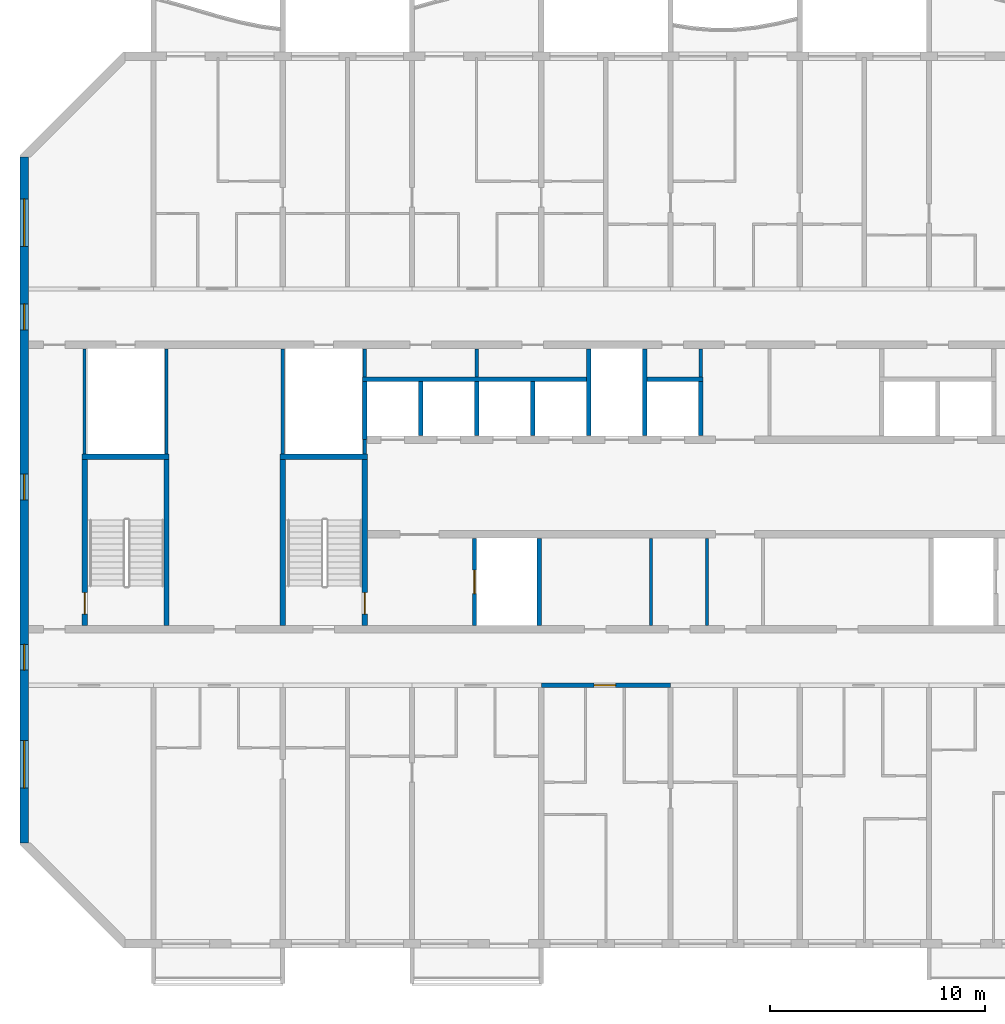
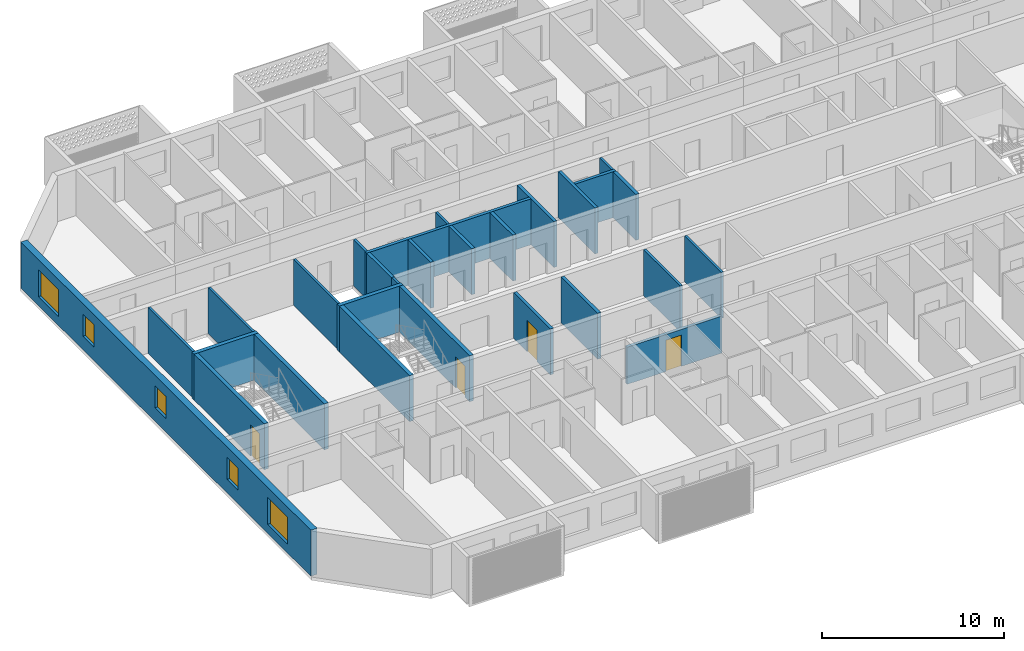
# One storey, part 3 of 26: 28 walls, 5 windows, 4 doors, 9 openings.
"""IFC4 building model written with IfcOpenShell, lengths in metres."""

from ifc_helpers import new_model, si_unit, direction, frame, frame_2d, origin, place, context, subcontext, project, spatial, rectangle, extrude, material, layer, layer_set, type_object, element, fill, save


model = new_model("IFC4")

# Units and contexts
model_context = context("Model", 3, precision=1e-05, world=origin(), true_north=direction((0.0, 1.0)))
body_context = subcontext(model_context, "Body", "Model", "MODEL_VIEW")
ifc_project = project(units=[si_unit("LENGTHUNIT", "METRE"), si_unit("AREAUNIT", "SQUARE_METRE"), si_unit("VOLUMEUNIT", "CUBIC_METRE"), si_unit("PLANEANGLEUNIT", "RADIAN"), si_unit("MASSUNIT", "GRAM", prefix="KILO")], contexts=[model_context])

# Site, building, storey
site_placement = place(None, origin())
site = spatial("IfcSite", under=ifc_project, at=site_placement, CompositionType="ELEMENT")
building_placement = place(site_placement, origin())
building = spatial("IfcBuilding", under=site, at=building_placement, Name="Poui Terraces", CompositionType="ELEMENT")
storey_placement = place(building_placement, frame((0.0, 0.0, 241.199951171875)))
storey = spatial("IfcBuildingStorey", under=building, at=storey_placement, Name="L67", CompositionType="ELEMENT", Elevation=241.199951171875)

# Walls
ifc_material_1 = material(Name="Fire-rated plasterboard wall")
ifc_layer_1 = layer(ifc_material_1, 0.14990234375)
ifc_layer_set_1 = layer_set([ifc_layer_1], Name="Fire-rated plasterboard wall")
wall_type_1 = type_object("IfcWallType", Name="CORRIDOR WALL 150", PredefinedType="PARTITIONING", material=ifc_layer_set_1)
wall_1_placement = place(storey_placement, frame((49.39990234375, 26.300048828125, 0.0), z_axis=(0.0, 0.0, 1.0), x_axis=(0.0, 1.0, 0.0)))
element("IfcWall", 1, at=wall_1_placement, inside=storey, type_object=wall_type_1, Name="CORRIDOR WALL 150", PredefinedType="PARTITIONING", context=body_context, shape_type="SweptSolid", body=[
    extrude(rectangle(XDim=1.31494140625, YDim=0.14990234375, at=frame_2d((0.657470703125, 0.0))), origin(), (0.0, 0.0, 1.0), 3.080078125),
])
wall_2_placement = place(storey_placement, frame((49.699951171875, 14.784912109375, 0.0), z_axis=(0.0, 0.0, 1.0), x_axis=(0.0, 1.0, 0.0)))
element("IfcWall", 2, at=wall_2_placement, inside=storey, type_object=wall_type_1, Name="CORRIDOR WALL 150", PredefinedType="PARTITIONING", context=body_context, shape_type="SweptSolid", body=[
    extrude(rectangle(XDim=4.030029296875, YDim=0.14990234375, at=frame_2d((2.01513671875, 0.0))), origin(), (0.0, 0.0, 1.0), 3.080078125),
])

# Wall, opening, door
ifc_material_2 = material(Name="Concrete 50 MPa", Category="concrete")
ifc_layer_2 = layer(ifc_material_2, 0.199951171875)
ifc_layer_set_2 = layer_set([ifc_layer_2], Name="Concrete 50 MPa")
wall_type_2 = type_object("IfcWallType", Name="CORRIDOR WALL 200 50MPa", PredefinedType="SHEAR", material=ifc_layer_set_2)
wall_3_placement = place(storey_placement, frame((42.0, 12.0, 0.0), z_axis=(0.0, 0.0, 1.0), x_axis=(1.0, 0.0, 0.0)))
wall_3 = element("IfcWall", 3, at=wall_3_placement, inside=storey, type_object=wall_type_2, Name="CORRIDOR WALL LINE B BAY 5", PredefinedType="SHEAR", context=body_context, shape_type="SweptSolid", body=[
    extrude(rectangle(XDim=6.0, YDim=0.199951171875, at=frame_2d((3.0, 0.0))), origin(), (0.0, 0.0, 1.0), 2.47998046875),
])
opening_1_placement = place(wall_3_placement, frame((2.449951171875, 0.0, 0.0)))
opening_1 = element("IfcOpeningElement", 4, at=opening_1_placement, cuts=wall_3, Name="Opening FD30S", PredefinedType="OPENING", context=body_context, shape_type="SweptSolid", body=[
    extrude(rectangle(XDim=1.0, YDim=2.10009765625, at=frame_2d((0.5, 1.050048828125))), frame((0.0, 0.10986328125, 0.0), z_axis=(0.0, -1.0, 0.0), x_axis=(1.0, 0.0, 0.0)), (0.0, 0.0, 1.0), 0.219970703125),
])
ifc_material_3 = material(Name="Steel fire door", Category="steel")
door_type_1 = type_object("IfcDoorType", Name="FLAT ENTRANCE DOOR 1000 X 2100", OperationType="NOTDEFINED", PredefinedType="DOOR", material=ifc_material_3)
door_1_placement = place(opening_1_placement, frame((1.0, 0.0, 0.0), z_axis=(0.0, 0.0, 1.0), x_axis=(-1.0, 0.0, 0.0)))
door_1 = element("IfcDoor", 5, at=door_1_placement, inside=storey, type_object=door_type_1, Name="FLAT ENTRANCE DOOR 075", OperationType="SINGLE_SWING_RIGHT", OverallHeight=2.10009765625, OverallWidth=1.0, PredefinedType="DOOR", context=body_context, shape_type="SweptSolid", body=[
    extrude(rectangle(XDim=1.0, YDim=2.10009765625, at=frame_2d((0.5, 1.050048828125))), frame((0.0, 0.02490234375, 0.0), z_axis=(0.0, -1.0, 0.0), x_axis=(1.0, 0.0, 0.0)), (0.0, 0.0, 1.0), 0.050048828125),
])
fill(opening_1, door_1)

# Wall, openings, windows
ifc_layer_3 = layer(ifc_material_2, 0.39990234375)
ifc_layer_set_3 = layer_set([ifc_layer_3], Name="Concrete 50 MPa")
wall_type_3 = type_object("IfcWallType", Name="END WALL 400 50MPa", PredefinedType="SHEAR", material=ifc_layer_set_3)
wall_4_placement = place(storey_placement, frame((18.0, 4.682861328125, 0.0), z_axis=(0.0, 0.0, 1.0), x_axis=(0.0, 1.0, 0.0)))
wall_4 = element("IfcWall", 6, at=wall_4_placement, inside=storey, type_object=wall_type_3, Name="END WALL WEST", PredefinedType="SHEAR", context=body_context, shape_type="SweptSolid", body=[
    extrude(rectangle(XDim=31.834228515625, YDim=0.39990234375, at=frame_2d((15.9169921875, 0.0))), origin(), (0.0, 0.0, 1.0), 3.080078125),
])
opening_2_placement = place(wall_4_placement, frame((23.817138671875, 0.0, 0.89990234375)))
opening_2 = element("IfcOpeningElement", 7, at=opening_2_placement, cuts=wall_4, Name="Opening W2", PredefinedType="OPENING", context=body_context, shape_type="SweptSolid", body=[
    extrude(rectangle(XDim=1.199951171875, YDim=1.5, at=frame_2d((0.60009765625, 0.75))), frame((0.0, 0.2099609375, 0.0), z_axis=(0.0, -1.0, 0.0), x_axis=(1.0, 0.0, 0.0)), (0.0, 0.0, 1.0), 0.419921875),
])
opening_3_placement = place(wall_4_placement, frame((8.01708984375, 0.0, 0.89990234375)))
opening_3 = element("IfcOpeningElement", 8, at=opening_3_placement, cuts=wall_4, Name="Opening W2", PredefinedType="OPENING", context=body_context, shape_type="SweptSolid", body=[
    extrude(rectangle(XDim=1.199951171875, YDim=1.5, at=frame_2d((0.60009765625, 0.75))), frame((0.0, 0.2099609375, 0.0), z_axis=(0.0, -1.0, 0.0), x_axis=(1.0, 0.0, 0.0)), (0.0, 0.0, 1.0), 0.419921875),
])
opening_4_placement = place(wall_4_placement, frame((27.693603515625, 0.0, 0.60009765625)))
opening_4 = element("IfcOpeningElement", 9, at=opening_4_placement, cuts=wall_4, Name="Opening W3", PredefinedType="OPENING", context=body_context, shape_type="SweptSolid", body=[
    extrude(rectangle(XDim=2.199951171875, YDim=1.800048828125, at=frame_2d((1.10009765625, 0.89990234375))), frame((0.0, 0.2099609375, 0.0), z_axis=(0.0, -1.0, 0.0), x_axis=(1.0, 0.0, 0.0)), (0.0, 0.0, 1.0), 0.419921875),
])
opening_5_placement = place(wall_4_placement, frame((2.541015625, 0.0, 0.60009765625)))
opening_5 = element("IfcOpeningElement", 10, at=opening_5_placement, cuts=wall_4, Name="Opening W3", PredefinedType="OPENING", context=body_context, shape_type="SweptSolid", body=[
    extrude(rectangle(XDim=2.199951171875, YDim=1.800048828125, at=frame_2d((1.10009765625, 0.89990234375))), frame((0.0, 0.2099609375, 0.0), z_axis=(0.0, -1.0, 0.0), x_axis=(1.0, 0.0, 0.0)), (0.0, 0.0, 1.0), 0.419921875),
])
opening_6_placement = place(wall_4_placement, frame((15.917236328125, 0.0, 0.89990234375)))
opening_6 = element("IfcOpeningElement", 11, at=opening_6_placement, cuts=wall_4, Name="Opening W2", PredefinedType="OPENING", context=body_context, shape_type="SweptSolid", body=[
    extrude(rectangle(XDim=1.199951171875, YDim=1.5, at=frame_2d((0.60009765625, 0.75))), frame((0.0, 0.2099609375, 0.0), z_axis=(0.0, -1.0, 0.0), x_axis=(1.0, 0.0, 0.0)), (0.0, 0.0, 1.0), 0.419921875),
])
ifc_material_4 = material(Name="Clear glass in aluminium frame", Category="aluminium")
window_type_1 = type_object("IfcWindowType", Name="WINDOW 1200X1500", PartitioningType="SINGLE_PANEL", PredefinedType="WINDOW", material=ifc_material_4)
window_1_placement = place(opening_2_placement, origin())
window_1 = element("IfcWindow", 12, at=window_1_placement, inside=storey, type_object=window_type_1, Name="W2 WINDOW", OverallHeight=1.5, OverallWidth=1.199951171875, PartitioningType="SINGLE_PANEL", PredefinedType="WINDOW", context=body_context, shape_type="SweptSolid", body=[
    extrude(rectangle(XDim=1.199951171875, YDim=1.5, at=frame_2d((0.60009765625, 0.75))), frame((0.0, 0.030029296875, 0.0), z_axis=(0.0, -1.0, 0.0), x_axis=(1.0, 0.0, 0.0)), (0.0, 0.0, 1.0), 0.06005859375),
])
fill(opening_2, window_1)
window_2_placement = place(opening_3_placement, origin())
window_2 = element("IfcWindow", 13, at=window_2_placement, inside=storey, type_object=window_type_1, Name="W2 WINDOW", OverallHeight=1.5, OverallWidth=1.199951171875, PartitioningType="SINGLE_PANEL", PredefinedType="WINDOW", context=body_context, shape_type="SweptSolid", body=[
    extrude(rectangle(XDim=1.199951171875, YDim=1.5, at=frame_2d((0.60009765625, 0.75))), frame((0.0, 0.030029296875, 0.0), z_axis=(0.0, -1.0, 0.0), x_axis=(1.0, 0.0, 0.0)), (0.0, 0.0, 1.0), 0.06005859375),
])
fill(opening_3, window_2)
window_3_placement = place(opening_6_placement, origin())
window_3 = element("IfcWindow", 14, at=window_3_placement, inside=storey, type_object=window_type_1, Name="W2 WINDOW", OverallHeight=1.5, OverallWidth=1.199951171875, PartitioningType="SINGLE_PANEL", PredefinedType="WINDOW", context=body_context, shape_type="SweptSolid", body=[
    extrude(rectangle(XDim=1.199951171875, YDim=1.5, at=frame_2d((0.60009765625, 0.75))), frame((0.0, 0.030029296875, 0.0), z_axis=(0.0, -1.0, 0.0), x_axis=(1.0, 0.0, 0.0)), (0.0, 0.0, 1.0), 0.06005859375),
])
fill(opening_6, window_3)
window_type_2 = type_object("IfcWindowType", Name="WINDOW 2200X1800", PartitioningType="DOUBLE_PANEL_HORIZONTAL", PredefinedType="WINDOW", material=ifc_material_4)
window_4_placement = place(opening_4_placement, origin())
window_4 = element("IfcWindow", 15, at=window_4_placement, inside=storey, type_object=window_type_2, Name="W3 WINDOW", OverallHeight=1.800048828125, OverallWidth=2.199951171875, PartitioningType="DOUBLE_PANEL_HORIZONTAL", PredefinedType="WINDOW", context=body_context, shape_type="SweptSolid", body=[
    extrude(rectangle(XDim=2.199951171875, YDim=1.800048828125, at=frame_2d((1.10009765625, 0.89990234375))), frame((0.0, 0.030029296875, 0.0), z_axis=(0.0, -1.0, 0.0), x_axis=(1.0, 0.0, 0.0)), (0.0, 0.0, 1.0), 0.06005859375),
])
fill(opening_4, window_4)
window_5_placement = place(opening_5_placement, origin())
window_5 = element("IfcWindow", 16, at=window_5_placement, inside=storey, type_object=window_type_2, Name="W3 WINDOW", OverallHeight=1.800048828125, OverallWidth=2.199951171875, PartitioningType="DOUBLE_PANEL_HORIZONTAL", PredefinedType="WINDOW", context=body_context, shape_type="SweptSolid", body=[
    extrude(rectangle(XDim=2.199951171875, YDim=1.800048828125, at=frame_2d((1.10009765625, 0.89990234375))), frame((0.0, 0.030029296875, 0.0), z_axis=(0.0, -1.0, 0.0), x_axis=(1.0, 0.0, 0.0)), (0.0, 0.0, 1.0), 0.06005859375),
])
fill(opening_5, window_5)

# Walls
ifc_material_5 = material(Name="Plasterboard partition")
ifc_layer_4 = layer(ifc_material_5, 0.14990234375)
ifc_layer_set_4 = layer_set([ifc_layer_4], Name="Plasterboard partition")
wall_type_4 = type_object("IfcWallType", Name="PARTITION WALL 150", PredefinedType="PARTITIONING", material=ifc_layer_set_4)
wall_5_placement = place(storey_placement, frame((39.0, 26.300048828125, 0.0), z_axis=(0.0, 0.0, 1.0), x_axis=(0.0, 1.0, 0.0)))
element("IfcWall", 17, at=wall_5_placement, inside=storey, type_object=wall_type_4, Name="PARTITION WALL 150", PredefinedType="PARTITIONING", context=body_context, shape_type="SweptSolid", body=[
    extrude(rectangle(XDim=1.31494140625, YDim=0.14990234375, at=frame_2d((0.657470703125, 0.0))), origin(), (0.0, 0.0, 1.0), 3.080078125),
])
wall_6_placement = place(storey_placement, frame((47.10009765625, 14.784912109375, 0.0), z_axis=(0.0, 0.0, 1.0), x_axis=(0.0, 1.0, 0.0)))
element("IfcWall", 18, at=wall_6_placement, inside=storey, type_object=wall_type_4, Name="PARTITION WALL 150", PredefinedType="PARTITIONING", context=body_context, shape_type="SweptSolid", body=[
    extrude(rectangle(XDim=4.030029296875, YDim=0.14990234375, at=frame_2d((2.01513671875, 0.0))), origin(), (0.0, 0.0, 1.0), 3.080078125),
])
ifc_material_6 = material(Name="Fire-rated plasterboard riser wall")
ifc_layer_5 = layer(ifc_material_6, 0.14990234375)
ifc_layer_set_5 = layer_set([ifc_layer_5], Name="Fire-rated plasterboard riser wall")
wall_type_5 = type_object("IfcWallType", Name="RISER WALL 150", PredefinedType="PARTITIONING", material=ifc_layer_set_5)
for number, where, z_axis, x_axis, name in (
    (19, (20.800048828125, 22.735107421875, 0.0), (0.0, 0.0, 1.0), (0.0, 1.0, 0.0), "RISER WALL 150"),
    (20, (24.60009765625, 22.735107421875, 0.0), (0.0, 0.0, 1.0), (0.0, 1.0, 0.0), "RISER WALL 150"),
    (21, (30.0, 22.735107421875, 0.0), (0.0, 0.0, 1.0), (0.0, 1.0, 0.0), "RISER WALL 150"),
):
    element("IfcWall", number, at=place(storey_placement, frame(where, z_axis=z_axis, x_axis=x_axis)), inside=storey, type_object=wall_type_5, Name=name, PredefinedType="PARTITIONING", context=body_context, shape_type="SweptSolid", body=[
        extrude(rectangle(XDim=4.8798828125, YDim=0.14990234375, at=frame_2d((2.43994140625, 0.0))), origin(), (0.0, 0.0, 1.0), 3.080078125),
    ])
wall_7_placement = place(storey_placement, frame((33.800048828125, 22.735107421875, 0.0), z_axis=(0.0, 0.0, 1.0), x_axis=(0.0, 1.0, 0.0)))
element("IfcWall", 22, at=wall_7_placement, inside=storey, type_object=wall_type_5, Name="RISER WALL 150", PredefinedType="PARTITIONING", context=body_context, shape_type="SweptSolid", body=[
    extrude(rectangle(XDim=0.664794921875, YDim=0.14990234375, at=frame_2d((0.33251953125, 0.0))), origin(), (0.0, 0.0, 1.0), 3.080078125),
])
wall_8_placement = place(storey_placement, frame((33.800048828125, 26.300048828125, 0.0), z_axis=(0.0, 0.0, 1.0), x_axis=(0.0, 1.0, 0.0)))
element("IfcWall", 23, at=wall_8_placement, inside=storey, type_object=wall_type_5, Name="RISER WALL 150", PredefinedType="PARTITIONING", context=body_context, shape_type="SweptSolid", body=[
    extrude(rectangle(XDim=1.31494140625, YDim=0.14990234375, at=frame_2d((0.657470703125, 0.0))), origin(), (0.0, 0.0, 1.0), 3.080078125),
])
ifc_material_7 = material(Name="Fire-rated masonry shaft wall", Category="masonry")
ifc_layer_6 = layer(ifc_material_7, 0.199951171875)
ifc_layer_set_6 = layer_set([ifc_layer_6], Name="Fire-rated masonry shaft wall")
wall_type_6 = type_object("IfcWallType", Name="SHAFT WALL 200", PredefinedType="PARTITIONING", material=ifc_layer_set_6)
wall_9_placement = place(storey_placement, frame((33.699951171875, 26.199951171875, 0.0), z_axis=(0.0, 0.0, 1.0), x_axis=(1.0, 0.0, 0.0)))
element("IfcWall", 24, at=wall_9_placement, inside=storey, type_object=wall_type_6, Name="SHAFT WALL 200", PredefinedType="PARTITIONING", context=body_context, shape_type="SweptSolid", body=[
    extrude(rectangle(XDim=10.400146484375, YDim=0.199951171875, at=frame_2d((5.2001953125, 0.0))), origin(), (0.0, 0.0, 1.0), 3.080078125),
])
wall_10_placement = place(storey_placement, frame((46.89990234375, 26.199951171875, 0.0), z_axis=(0.0, 0.0, 1.0), x_axis=(1.0, 0.0, 0.0)))
element("IfcWall", 25, at=wall_10_placement, inside=storey, type_object=wall_type_6, Name="SHAFT WALL 200", PredefinedType="PARTITIONING", context=body_context, shape_type="SweptSolid", body=[
    extrude(rectangle(XDim=2.60009765625, YDim=0.199951171875, at=frame_2d((1.300048828125, 0.0))), origin(), (0.0, 0.0, 1.0), 3.080078125),
])
wall_11_placement = place(storey_placement, frame((33.800048828125, 23.39990234375, 0.0), z_axis=(0.0, 0.0, 1.0), x_axis=(0.0, 1.0, 0.0)))
element("IfcWall", 26, at=wall_11_placement, inside=storey, type_object=wall_type_6, Name="SHAFT WALL 200", PredefinedType="PARTITIONING", context=body_context, shape_type="SweptSolid", body=[
    extrude(rectangle(XDim=2.7001953125, YDim=0.199951171875, at=frame_2d((1.35009765625, 0.0))), origin(), (0.0, 0.0, 1.0), 3.080078125),
])
wall_12_placement = place(storey_placement, frame((36.39990234375, 23.5849609375, 0.0), z_axis=(0.0, 0.0, 1.0), x_axis=(0.0, 1.0, 0.0)))
element("IfcWall", 27, at=wall_12_placement, inside=storey, type_object=wall_type_6, Name="SHAFT WALL 200", PredefinedType="PARTITIONING", context=body_context, shape_type="SweptSolid", body=[
    extrude(rectangle(XDim=2.51513671875, YDim=0.199951171875, at=frame_2d((1.257568359375, 0.0))), origin(), (0.0, 0.0, 1.0), 3.080078125),
])

# Wall, opening, door
wall_13_placement = place(storey_placement, frame((38.89990234375, 14.784912109375, 0.0), z_axis=(0.0, 0.0, 1.0), x_axis=(0.0, 1.0, 0.0)))
wall_13 = element("IfcWall", 28, at=wall_13_placement, inside=storey, type_object=wall_type_6, Name="SHAFT WALL 200", PredefinedType="PARTITIONING", context=body_context, shape_type="SweptSolid", body=[
    extrude(rectangle(XDim=4.030029296875, YDim=0.199951171875, at=frame_2d((2.01513671875, 0.0))), origin(), (0.0, 0.0, 1.0), 3.080078125),
])
opening_7_placement = place(wall_13_placement, frame((1.465087890625, 0.0, 0.0)))
opening_7 = element("IfcOpeningElement", 29, at=opening_7_placement, cuts=wall_13, Name="Opening LD", PredefinedType="OPENING", context=body_context, shape_type="SweptSolid", body=[
    extrude(rectangle(XDim=1.10009765625, YDim=2.10009765625, at=frame_2d((0.550048828125, 1.050048828125))), frame((0.0, 0.10986328125, 0.0), z_axis=(0.0, -1.0, 0.0), x_axis=(1.0, 0.0, 0.0)), (0.0, 0.0, 1.0), 0.219970703125),
])
ifc_material_8 = material(Name="Stainless steel sliding door", Category="steel")
door_type_2 = type_object("IfcDoorType", Name="LIFT LANDING DOOR 1100 X 2100", OperationType="DOUBLE_DOOR_SLIDING", PredefinedType="DOOR", material=ifc_material_8)
door_2_placement = place(opening_7_placement, origin())
door_2 = element("IfcDoor", 30, at=door_2_placement, inside=storey, type_object=door_type_2, Name="LANDING DOOR", OperationType="DOUBLE_DOOR_SLIDING", OverallHeight=2.10009765625, OverallWidth=1.10009765625, PredefinedType="DOOR", context=body_context, shape_type="SweptSolid", body=[
    extrude(rectangle(XDim=1.10009765625, YDim=2.10009765625, at=frame_2d((0.550048828125, 1.050048828125))), frame((0.0, 0.02490234375, 0.0), z_axis=(0.0, -1.0, 0.0), x_axis=(1.0, 0.0, 0.0)), (0.0, 0.0, 1.0), 0.050048828125),
])
fill(opening_7, door_2)

# Walls
for number, where, z_axis, x_axis, name in (
    (31, (39.0, 23.5849609375, 0.0), (0.0, 0.0, 1.0), (0.0, 1.0, 0.0), "SHAFT WALL 200"),
    (32, (41.60009765625, 23.5849609375, 0.0), (0.0, 0.0, 1.0), (0.0, 1.0, 0.0), "SHAFT WALL 200"),
):
    element("IfcWall", number, at=place(storey_placement, frame(where, z_axis=z_axis, x_axis=x_axis)), inside=storey, type_object=wall_type_6, Name=name, PredefinedType="PARTITIONING", context=body_context, shape_type="SweptSolid", body=[
        extrude(rectangle(XDim=2.51513671875, YDim=0.199951171875, at=frame_2d((1.257568359375, 0.0))), origin(), (0.0, 0.0, 1.0), 3.080078125),
    ])
for number, where, z_axis, x_axis, name in (
    (33, (41.89990234375, 14.784912109375, 0.0), (0.0, 0.0, 1.0), (0.0, 1.0, 0.0), "SHAFT WALL 200"),
    (34, (44.199951171875, 23.5849609375, 0.0), (0.0, 0.0, 1.0), (0.0, 1.0, 0.0), "SHAFT WALL 200"),
    (35, (46.800048828125, 23.5849609375, 0.0), (0.0, 0.0, 1.0), (0.0, 1.0, 0.0), "SHAFT WALL 200"),
):
    element("IfcWall", number, at=place(storey_placement, frame(where, z_axis=z_axis, x_axis=x_axis)), inside=storey, type_object=wall_type_6, Name=name, PredefinedType="PARTITIONING", context=body_context, shape_type="SweptSolid", body=[
        extrude(rectangle(XDim=4.030029296875, YDim=0.199951171875, at=frame_2d((2.01513671875, 0.0))), origin(), (0.0, 0.0, 1.0), 3.080078125),
    ])
wall_14_placement = place(storey_placement, frame((49.39990234375, 23.5849609375, 0.0), z_axis=(0.0, 0.0, 1.0), x_axis=(0.0, 1.0, 0.0)))
element("IfcWall", 36, at=wall_14_placement, inside=storey, type_object=wall_type_6, Name="SHAFT WALL 200", PredefinedType="PARTITIONING", context=body_context, shape_type="SweptSolid", body=[
    extrude(rectangle(XDim=2.51513671875, YDim=0.199951171875, at=frame_2d((1.257568359375, 0.0))), origin(), (0.0, 0.0, 1.0), 3.080078125),
])
ifc_layer_7 = layer(ifc_material_2, 0.25)
ifc_layer_set_7 = layer_set([ifc_layer_7], Name="Concrete 50 MPa")
wall_type_7 = type_object("IfcWallType", Name="STAIR CORE WALL 250 50 MPA", PredefinedType="SOLIDWALL", material=ifc_layer_set_7)
wall_15_placement = place(storey_placement, frame((30.0, 14.77490234375, 0.0), z_axis=(0.0, 0.0, 1.0), x_axis=(0.0, 1.0, 0.0)))
element("IfcWall", 37, at=wall_15_placement, inside=storey, type_object=wall_type_7, Name="STAIR CORE WALL", PredefinedType="SOLIDWALL", context=body_context, shape_type="SweptSolid", body=[
    extrude(rectangle(XDim=7.7001953125, YDim=0.25, at=frame_2d((3.85009765625, 0.0))), origin(), (0.0, 0.0, 1.0), 3.080078125),
])

# Wall, opening, door
wall_16_placement = place(storey_placement, frame((33.800048828125, 14.77490234375, 0.0), z_axis=(0.0, 0.0, 1.0), x_axis=(0.0, 1.0, 0.0)))
wall_16 = element("IfcWall", 38, at=wall_16_placement, inside=storey, type_object=wall_type_7, Name="STAIR CORE WALL", PredefinedType="SOLIDWALL", context=body_context, shape_type="SweptSolid", body=[
    extrude(rectangle(XDim=7.7001953125, YDim=0.25, at=frame_2d((3.85009765625, 0.0))), origin(), (0.0, 0.0, 1.0), 3.080078125),
])
opening_8_placement = place(wall_16_placement, frame((0.52490234375, 0.0, 0.0)))
opening_8 = element("IfcOpeningElement", 39, at=opening_8_placement, cuts=wall_16, Name="Opening FD60S", PredefinedType="OPENING", context=body_context, shape_type="SweptSolid", body=[
    extrude(rectangle(XDim=1.0, YDim=2.10009765625, at=frame_2d((0.5, 1.050048828125))), frame((0.0, 0.135009765625, 0.0), z_axis=(0.0, -1.0, 0.0), x_axis=(1.0, 0.0, 0.0)), (0.0, 0.0, 1.0), 0.27001953125),
])
door_type_3 = type_object("IfcDoorType", Name="STAIR DOOR 1000 X 2100", OperationType="NOTDEFINED", PredefinedType="DOOR", material=ifc_material_3)
door_3_placement = place(opening_8_placement, origin())
door_3 = element("IfcDoor", 40, at=door_3_placement, inside=storey, type_object=door_type_3, Name="STAIR DOOR 097", OperationType="SINGLE_SWING_LEFT", OverallHeight=2.10009765625, OverallWidth=1.0, PredefinedType="DOOR", context=body_context, shape_type="SweptSolid", body=[
    extrude(rectangle(XDim=1.0, YDim=2.10009765625, at=frame_2d((0.5, 1.050048828125))), frame((0.0, 0.02490234375, 0.0), z_axis=(0.0, -1.0, 0.0), x_axis=(1.0, 0.0, 0.0)), (0.0, 0.0, 1.0), 0.050048828125),
])
fill(opening_8, door_3)

# Wall
wall_17_placement = place(storey_placement, frame((29.875, 22.60009765625, 0.0), z_axis=(0.0, 0.0, 1.0), x_axis=(1.0, 0.0, 0.0)))
element("IfcWall", 41, at=wall_17_placement, inside=storey, type_object=wall_type_7, Name="STAIR CORE WALL", PredefinedType="SOLIDWALL", context=body_context, shape_type="SweptSolid", body=[
    extrude(rectangle(XDim=4.050048828125, YDim=0.25, at=frame_2d((2.02490234375, 0.0))), origin(), (0.0, 0.0, 1.0), 3.080078125),
])

# Wall, opening, door
wall_18_placement = place(storey_placement, frame((20.800048828125, 14.77490234375, 0.0), z_axis=(0.0, 0.0, 1.0), x_axis=(0.0, 1.0, 0.0)))
wall_18 = element("IfcWall", 42, at=wall_18_placement, inside=storey, type_object=wall_type_7, Name="STAIR CORE WALL", PredefinedType="SOLIDWALL", context=body_context, shape_type="SweptSolid", body=[
    extrude(rectangle(XDim=7.7001953125, YDim=0.25, at=frame_2d((3.85009765625, 0.0))), origin(), (0.0, 0.0, 1.0), 3.080078125),
])
opening_9_placement = place(wall_18_placement, frame((0.52490234375, 0.0, 0.0)))
opening_9 = element("IfcOpeningElement", 43, at=opening_9_placement, cuts=wall_18, Name="Opening FD60S", PredefinedType="OPENING", context=body_context, shape_type="SweptSolid", body=[
    extrude(rectangle(XDim=1.0, YDim=2.10009765625, at=frame_2d((0.5, 1.050048828125))), frame((0.0, 0.135009765625, 0.0), z_axis=(0.0, -1.0, 0.0), x_axis=(1.0, 0.0, 0.0)), (0.0, 0.0, 1.0), 0.27001953125),
])
door_4_placement = place(opening_9_placement, frame((1.0, 0.0, 0.0), z_axis=(0.0, 0.0, 1.0), x_axis=(-1.0, 0.0, 0.0)))
door_4 = element("IfcDoor", 44, at=door_4_placement, inside=storey, type_object=door_type_3, Name="STAIR DOOR 111", OperationType="SINGLE_SWING_RIGHT", OverallHeight=2.10009765625, OverallWidth=1.0, PredefinedType="DOOR", context=body_context, shape_type="SweptSolid", body=[
    extrude(rectangle(XDim=1.0, YDim=2.10009765625, at=frame_2d((0.5, 1.050048828125))), frame((0.0, 0.02490234375, 0.0), z_axis=(0.0, -1.0, 0.0), x_axis=(1.0, 0.0, 0.0)), (0.0, 0.0, 1.0), 0.050048828125),
])
fill(opening_9, door_4)

# Walls
wall_19_placement = place(storey_placement, frame((24.60009765625, 14.77490234375, 0.0), z_axis=(0.0, 0.0, 1.0), x_axis=(0.0, 1.0, 0.0)))
element("IfcWall", 45, at=wall_19_placement, inside=storey, type_object=wall_type_7, Name="STAIR CORE WALL", PredefinedType="SOLIDWALL", context=body_context, shape_type="SweptSolid", body=[
    extrude(rectangle(XDim=7.7001953125, YDim=0.25, at=frame_2d((3.85009765625, 0.0))), origin(), (0.0, 0.0, 1.0), 3.080078125),
])
wall_20_placement = place(storey_placement, frame((20.675048828125, 22.60009765625, 0.0), z_axis=(0.0, 0.0, 1.0), x_axis=(1.0, 0.0, 0.0)))
element("IfcWall", 46, at=wall_20_placement, inside=storey, type_object=wall_type_7, Name="STAIR CORE WALL", PredefinedType="SOLIDWALL", context=body_context, shape_type="SweptSolid", body=[
    extrude(rectangle(XDim=4.050048828125, YDim=0.25, at=frame_2d((2.02490234375, 0.0))), origin(), (0.0, 0.0, 1.0), 3.080078125),
])

save(model, "model.ifc")
